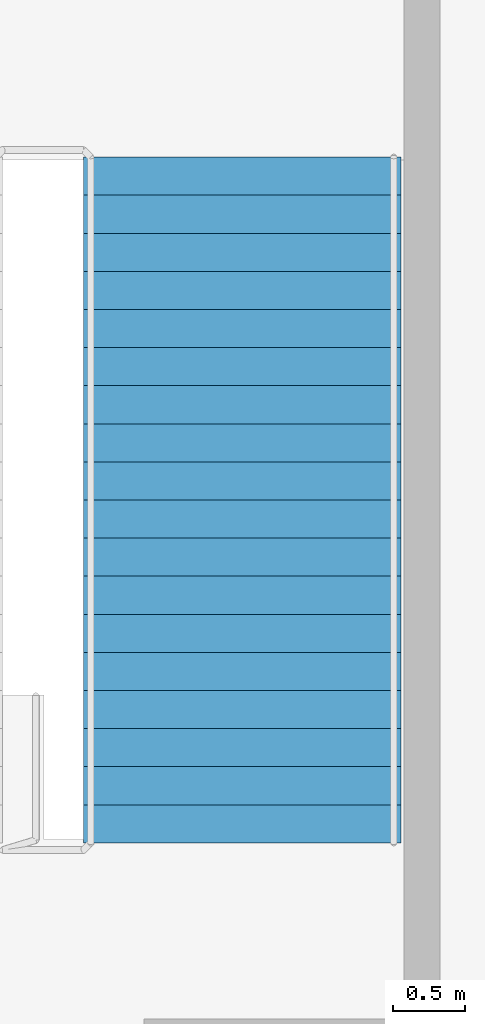
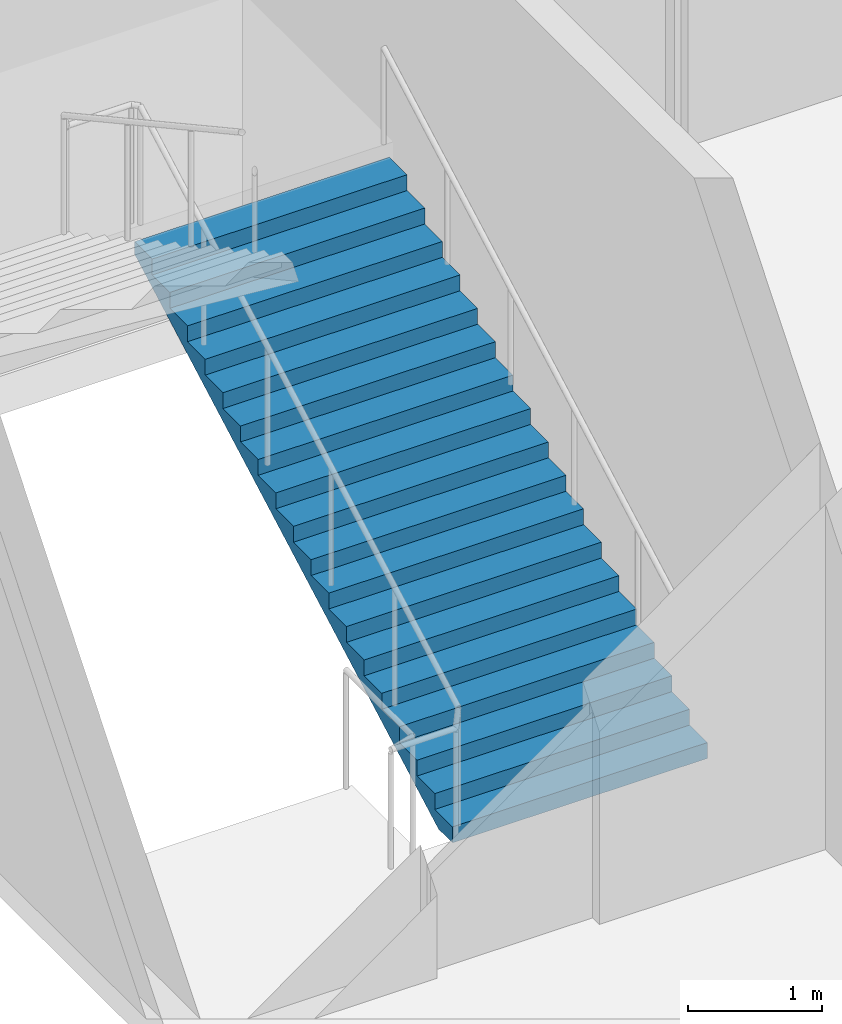
# One storey, part 19 of 31: 1 stair flight, 1 element without a shape of its own.
"""IFC4 building model written with IfcOpenShell, lengths in metres."""

from ifc_helpers import new_model, si_unit, direction, frame, origin, place, context, subcontext, project, spatial, polyline, outline, extrude, material, type_object, element, aggregate, save


model = new_model("IFC4")

# Units and contexts
model_context = context("Model", 3, precision=1e-05, world=origin(), true_north=direction((0.0, 1.0)))
body_context = subcontext(model_context, "Body", "Model", "MODEL_VIEW")
ifc_project = project(units=[si_unit("LENGTHUNIT", "METRE"), si_unit("AREAUNIT", "SQUARE_METRE"), si_unit("VOLUMEUNIT", "CUBIC_METRE"), si_unit("PLANEANGLEUNIT", "RADIAN"), si_unit("MASSUNIT", "GRAM", prefix="KILO")], contexts=[model_context])

# Site, building, storey
site_placement = place(None, origin())
site = spatial("IfcSite", under=ifc_project, at=site_placement, CompositionType="ELEMENT")
building_placement = place(site_placement, origin())
building = spatial("IfcBuilding", under=site, at=building_placement, Name="Tamra Quay Hotel Tower", CompositionType="ELEMENT")
storey_placement = place(building_placement, frame((0.0, 0.0, 14.0)))
storey = spatial("IfcBuildingStorey", under=building, at=storey_placement, Name="L02", CompositionType="ELEMENT", Elevation=14.0)

# Stair, stair flight
ifc_material_1 = material(Name="Exit stair 2200 38 risers 144.7 going 264")
stair_type = type_object("IfcStairType", Name="Exit stair 2200 38 risers 144.7 going 264", PredefinedType="HALF_TURN_STAIR", material=ifc_material_1)
stair_placement = place(storey_placement, origin())
stair = element("IfcStair", 1, at=stair_placement, inside=storey, type_object=stair_type, Name="L02 Exit stair PS1", PredefinedType="HALF_TURN_STAIR")
ifc_material_2 = material(Name="Exit stair flight 2200 19 risers 144.7")
stair_flight_type = type_object("IfcStairFlightType", Name="Exit stair flight 2200 19 risers 144.7", PredefinedType="STRAIGHT", material=ifc_material_2)
stair_flight_placement = place(storey_placement, frame((-84.969970703125, 24.77001953125, 0.0), z_axis=(0.0, 0.0, 1.0), x_axis=(0.0, 1.0, 0.0)))
stair_flight = element("IfcStairFlight", 2, at=stair_flight_placement, type_object=stair_flight_type, Name="PS1 flight 1", NumberOfRisers=19, NumberOfTreads=18, PredefinedType="STRAIGHT", RiserHeight=0.144736842, TreadLength=0.264, context=body_context, shape_type="SweptSolid", body=[
    extrude(outline(polyline([(0.0, 0.0), (0.0, 0.144775390625), (0.263916015625, 0.144775390625), (0.263916015625, 0.28955078125), (0.528076171875, 0.28955078125), (0.528076171875, 0.434326171875), (0.7919921875, 0.434326171875), (0.7919921875, 0.578857421875), (1.055908203125, 0.578857421875), (1.055908203125, 0.7236328125), (1.320068359375, 0.7236328125), (1.320068359375, 0.868408203125), (1.583984375, 0.868408203125), (1.583984375, 1.01318359375), (1.847900390625, 1.01318359375), (1.847900390625, 1.157958984375), (2.112060546875, 1.157958984375), (2.112060546875, 1.302734375), (2.3759765625, 1.302734375), (2.3759765625, 1.447265625), (2.639892578125, 1.447265625), (2.639892578125, 1.592041015625), (2.904052734375, 1.592041015625), (2.904052734375, 1.73681640625), (3.16796875, 1.73681640625), (3.16796875, 1.881591796875), (3.431884765625, 1.881591796875), (3.431884765625, 2.0263671875), (3.696044921875, 2.0263671875), (3.696044921875, 2.171142578125), (3.9599609375, 2.171142578125), (3.9599609375, 2.315673828125), (4.22412109375, 2.315673828125), (4.22412109375, 2.46044921875), (4.488037109375, 2.46044921875), (4.488037109375, 2.605224609375), (4.751953125, 2.605224609375), (4.751953125, 2.75), (4.751953125, 2.4912109375), (0.208251953125, 0.0), (0.0, 0.0)])), frame((0.0, 1.10009765625, 0.0), z_axis=(0.0, -1.0, 0.0), x_axis=(1.0, 0.0, 0.0)), (0.0, 0.0, 1.0), 2.199951171875),
])
aggregate(stair, [stair_flight])

save(model, "model.ifc")
